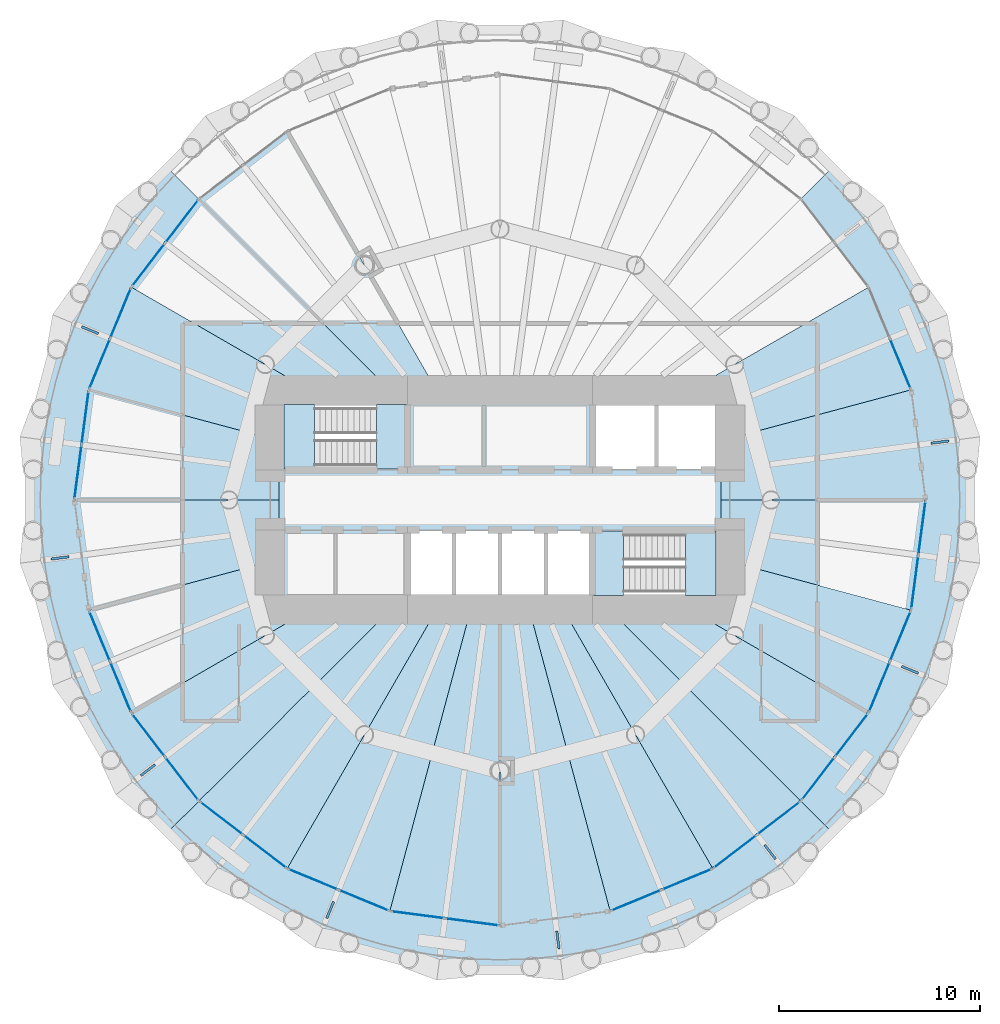
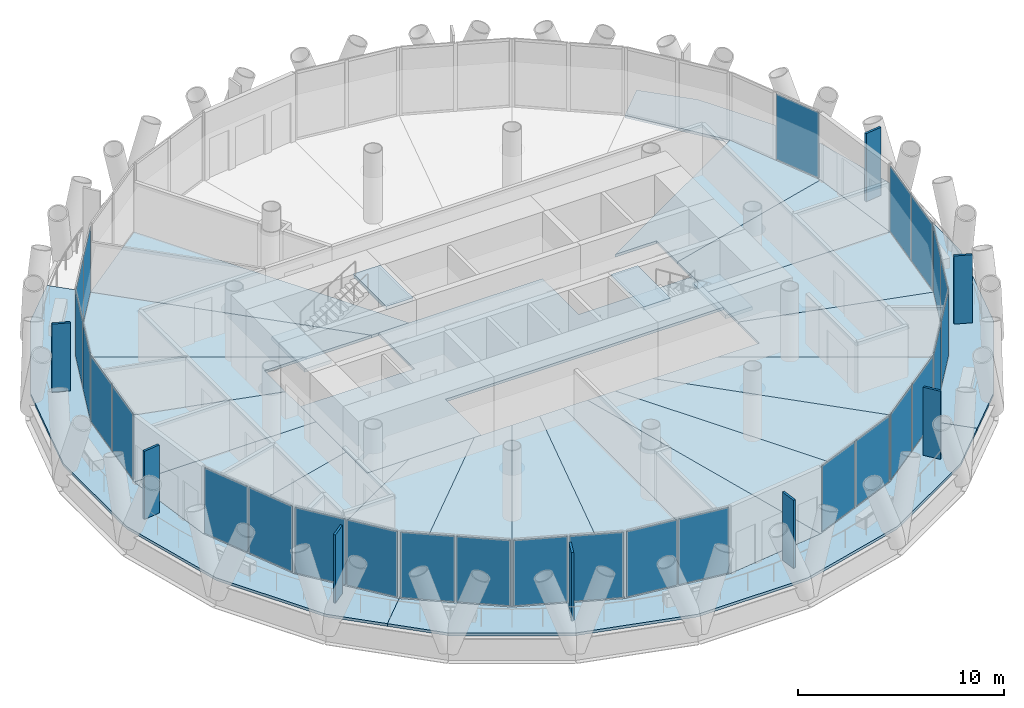
# One storey, part 8 of 14: 35 plates, 26 slabs, 16 elements without a shape of their own.
"""IFC4 building model written with IfcOpenShell, lengths in metres."""

from ifc_helpers import new_model, si_unit, direction, frame, origin, origin_2d, place, context, subcontext, project, spatial, polyline, rectangle, outline, extrude, material, layer, layer_set, type_object, element, aggregate, save


model = new_model("IFC4")

# Units and contexts
model_context = context("Model", 3, precision=1e-05, world=origin(), true_north=direction((0.0, 1.0)))
body_context = subcontext(model_context, "Body", "Model", "MODEL_VIEW")
ifc_project = project(units=[si_unit("LENGTHUNIT", "METRE"), si_unit("AREAUNIT", "SQUARE_METRE"), si_unit("VOLUMEUNIT", "CUBIC_METRE"), si_unit("PLANEANGLEUNIT", "RADIAN"), si_unit("MASSUNIT", "GRAM", prefix="KILO")], contexts=[model_context])

# Site, building, storey
site_placement = place(None, origin())
site = spatial("IfcSite", under=ifc_project, at=site_placement, CompositionType="ELEMENT")
building_placement = place(site_placement, origin())
building = spatial("IfcBuilding", under=site, at=building_placement, Name="Qaws Media Tower", CompositionType="ELEMENT")
storey_placement = place(building_placement, frame((0.0, 0.0, 202.39990234375)))
storey = spatial("IfcBuildingStorey", under=building, at=storey_placement, Name="L46", CompositionType="ELEMENT", Elevation=202.39990234375)

# Slabs
ifc_material_1 = material(Name="Concrete C35/45", Category="concrete")
ifc_layer_1 = layer(ifc_material_1, 0.159912109375)
ifc_layer_set_1 = layer_set([ifc_layer_1], Name="Composite balcony slab 160")
slab_type_1 = type_object("IfcSlabType", Name="Composite balcony slab 160", PredefinedType="FLOOR", material=ifc_layer_set_1)
slab_1_placement = place(storey_placement, frame((0.0, 0.0, -0.159912109375)))
element("IfcSlab", 1, at=slab_1_placement, inside=storey, type_object=slab_type_1, Name="S2 balcony slab L46 R10 to R16, movement joints on R10 and R16", PredefinedType="FLOOR", context=body_context, shape_type="SweptSolid", body=[
    extrude(outline(polyline([(41.27685546875, 35.63330078125), (38.1962890625, 40.96875), (36.601806640625, 46.919677734375), (36.601806640625, 53.080322265625), (38.1962890625, 59.03125), (41.27685546875, 64.36669921875), (43.455078125, 66.544921875), (45.00927734375, 64.99072265625), (41.640380859375, 60.60009765625), (39.5224609375, 55.487060546875), (38.800048828125, 50.0), (39.5224609375, 44.512939453125), (41.640380859375, 39.39990234375), (45.00927734375, 35.00927734375), (43.455078125, 33.455078125), (41.27685546875, 35.63330078125)])), origin(), (0.0, 0.0, 1.0), 0.159912109375),
])
slab_2_placement = place(storey_placement, frame((0.0, 0.0, -0.159912109375)))
element("IfcSlab", 2, at=slab_2_placement, inside=storey, type_object=slab_type_1, Name="S2 balcony slab L46 R16 to R22, movement joints on R16 and R22", PredefinedType="FLOOR", context=body_context, shape_type="SweptSolid", body=[
    extrude(outline(polyline([(74.36669921875, 31.27685546875), (69.03125, 28.1962890625), (63.080322265625, 26.601806640625), (56.919677734375, 26.601806640625), (50.96875, 28.1962890625), (45.63330078125, 31.27685546875), (43.455078125, 33.455078125), (45.00927734375, 35.00927734375), (49.39990234375, 31.640380859375), (54.512939453125, 29.5224609375), (60.0, 28.800048828125), (65.487060546875, 29.5224609375), (70.60009765625, 31.640380859375), (74.99072265625, 35.00927734375), (76.544921875, 33.455078125), (74.36669921875, 31.27685546875)])), origin(), (0.0, 0.0, 1.0), 0.159912109375),
])
slab_3_placement = place(storey_placement, frame((0.0, 0.0, -0.159912109375)))
element("IfcSlab", 3, at=slab_3_placement, inside=storey, type_object=slab_type_1, Name="S2 balcony slab L46 R22 to R04, movement joints on R22 and R04", PredefinedType="FLOOR", context=body_context, shape_type="SweptSolid", body=[
    extrude(outline(polyline([(81.8037109375, 40.96875), (78.72314453125, 35.63330078125), (76.544921875, 33.455078125), (74.99072265625, 35.00927734375), (78.359619140625, 39.39990234375), (80.4775390625, 44.512939453125), (81.199951171875, 50.0), (80.4775390625, 55.487060546875), (78.359619140625, 60.60009765625), (74.99072265625, 64.99072265625), (76.544921875, 66.544921875), (78.72314453125, 64.36669921875), (81.8037109375, 59.03125), (83.398193359375, 53.080322265625), (83.398193359375, 46.919677734375), (81.8037109375, 40.96875)])), origin(), (0.0, 0.0, 1.0), 0.159912109375),
])
ifc_material_2 = material(Name="Concrete C35/45", Category="concrete")
ifc_layer_2 = layer(ifc_material_2, 0.159912109375)
ifc_layer_set_2 = layer_set([ifc_layer_2], Name="Composite floor slab 160")
slab_type_2 = type_object("IfcSlabType", Name="Composite floor slab 160", PredefinedType="FLOOR", material=ifc_layer_set_2)
slab_4_placement = place(storey_placement, frame((0.0, 0.0, -0.159912109375)))
element("IfcSlab", 4, at=slab_4_placement, inside=storey, type_object=slab_type_2, Name="S1 core floor slab L46", PredefinedType="FLOOR", context=body_context, shape_type="SweptSolid", body=[
    extrude(outline(polyline([(71.0, 51.5), (71.0, 48.5), (55.39990234375, 48.5), (55.39990234375, 45.0), (49.0, 45.0), (49.0, 51.5), (55.39990234375, 51.5), (55.39990234375, 55.0), (64.60009765625, 55.0), (64.60009765625, 51.5), (71.0, 51.5)])), origin(), (0.0, 0.0, 1.0), 0.159912109375),
])
slab_5_placement = place(storey_placement, frame((0.0, 0.0, -0.159912109375)))
element("IfcSlab", 5, at=slab_5_placement, inside=storey, type_object=slab_type_2, Name="S1 floor panel L46 on R01+7.5", PredefinedType="FLOOR", context=body_context, shape_type="SweptSolid", body=[
    extrude(outline(polyline([(81.199951171875, 50.0), (71.0, 50.0), (71.0, 52.947509765625), (80.4775390625, 55.487060546875), (81.199951171875, 50.0)])), origin(), (0.0, 0.0, 1.0), 0.159912109375),
])
slab_6_placement = place(storey_placement, frame((0.0, 0.0, -0.159912109375)))
element("IfcSlab", 6, at=slab_6_placement, inside=storey, type_object=slab_type_2, Name="S1 floor panel L46 on R02+7.5", PredefinedType="FLOOR", context=body_context, shape_type="SweptSolid", body=[
    extrude(outline(polyline([(78.359619140625, 60.60009765625), (80.4775390625, 55.487060546875), (71.0, 52.947509765625), (71.0, 55.0), (68.660400390625, 55.0), (78.359619140625, 60.60009765625)])), origin(), (0.0, 0.0, 1.0), 0.159912109375),
])
slab_7_placement = place(storey_placement, frame((0.0, 0.0, -0.159912109375)))
element("IfcSlab", 7, at=slab_7_placement, inside=storey, type_object=slab_type_2, Name="S1 floor panel L46 on R09+7.5", PredefinedType="FLOOR", context=body_context, shape_type="SweptSolid", body=[
    extrude(outline(polyline([(49.39990234375, 68.359619140625), (57.11328125, 55.0), (55.0, 55.0), (45.00927734375, 64.99072265625), (49.39990234375, 68.359619140625)])), origin(), (0.0, 0.0, 1.0), 0.159912109375),
])
slab_8_placement = place(storey_placement, frame((0.0, 0.0, -0.159912109375)))
element("IfcSlab", 8, at=slab_8_placement, inside=storey, type_object=slab_type_2, Name="S1 floor panel L46 on R10+7.5", PredefinedType="FLOOR", context=body_context, shape_type="SweptSolid", body=[
    extrude(outline(polyline([(41.640380859375, 60.60009765625), (45.00927734375, 64.99072265625), (55.0, 55.0), (51.339599609375, 55.0), (41.640380859375, 60.60009765625)])), origin(), (0.0, 0.0, 1.0), 0.159912109375),
])
slab_9_placement = place(storey_placement, frame((0.0, 0.0, -0.159912109375)))
element("IfcSlab", 9, at=slab_9_placement, inside=storey, type_object=slab_type_2, Name="S1 floor panel L46 on R11+7.5", PredefinedType="FLOOR", context=body_context, shape_type="SweptSolid", body=[
    extrude(outline(polyline([(39.5224609375, 55.487060546875), (41.640380859375, 60.60009765625), (51.339599609375, 55.0), (49.0, 55.0), (49.0, 52.947509765625), (39.5224609375, 55.487060546875)])), origin(), (0.0, 0.0, 1.0), 0.159912109375),
])
slab_10_placement = place(storey_placement, frame((0.0, 0.0, -0.159912109375)))
element("IfcSlab", 10, at=slab_10_placement, inside=storey, type_object=slab_type_2, Name="S1 floor panel L46 on R12+7.5", PredefinedType="FLOOR", context=body_context, shape_type="SweptSolid", body=[
    extrude(outline(polyline([(39.5224609375, 55.487060546875), (49.0, 52.947509765625), (49.0, 50.0), (38.800048828125, 50.0), (39.5224609375, 55.487060546875)])), origin(), (0.0, 0.0, 1.0), 0.159912109375),
])
slab_11_placement = place(storey_placement, frame((0.0, 0.0, -0.159912109375)))
element("IfcSlab", 11, at=slab_11_placement, inside=storey, type_object=slab_type_2, Name="S1 floor panel L46 on R13+7.5", PredefinedType="FLOOR", context=body_context, shape_type="SweptSolid", body=[
    extrude(outline(polyline([(38.800048828125, 50.0), (49.0, 50.0), (49.0, 47.052490234375), (39.5224609375, 44.512939453125), (38.800048828125, 50.0)])), origin(), (0.0, 0.0, 1.0), 0.159912109375),
])
slab_12_placement = place(storey_placement, frame((0.0, 0.0, -0.159912109375)))
element("IfcSlab", 12, at=slab_12_placement, inside=storey, type_object=slab_type_2, Name="S1 floor panel L46 on R14+7.5", PredefinedType="FLOOR", context=body_context, shape_type="SweptSolid", body=[
    extrude(outline(polyline([(41.640380859375, 39.39990234375), (39.5224609375, 44.512939453125), (49.0, 47.052490234375), (49.0, 45.0), (51.339599609375, 45.0), (41.640380859375, 39.39990234375)])), origin(), (0.0, 0.0, 1.0), 0.159912109375),
])
slab_13_placement = place(storey_placement, frame((0.0, 0.0, -0.159912109375)))
element("IfcSlab", 13, at=slab_13_placement, inside=storey, type_object=slab_type_2, Name="S1 floor panel L46 on R15+7.5", PredefinedType="FLOOR", context=body_context, shape_type="SweptSolid", body=[
    extrude(outline(polyline([(41.640380859375, 39.39990234375), (51.339599609375, 45.0), (55.0, 45.0), (45.00927734375, 35.00927734375), (41.640380859375, 39.39990234375)])), origin(), (0.0, 0.0, 1.0), 0.159912109375),
])
slab_14_placement = place(storey_placement, frame((0.0, 0.0, -0.159912109375)))
element("IfcSlab", 14, at=slab_14_placement, inside=storey, type_object=slab_type_2, Name="S1 floor panel L46 on R16+7.5", PredefinedType="FLOOR", context=body_context, shape_type="SweptSolid", body=[
    extrude(outline(polyline([(45.00927734375, 35.00927734375), (55.0, 45.0), (57.11328125, 45.0), (49.39990234375, 31.640380859375), (45.00927734375, 35.00927734375)])), origin(), (0.0, 0.0, 1.0), 0.159912109375),
])
slab_15_placement = place(storey_placement, frame((0.0, 0.0, -0.159912109375)))
element("IfcSlab", 15, at=slab_15_placement, inside=storey, type_object=slab_type_2, Name="S1 floor panel L46 on R17+7.5", PredefinedType="FLOOR", context=body_context, shape_type="SweptSolid", body=[
    extrude(outline(polyline([(54.512939453125, 29.5224609375), (49.39990234375, 31.640380859375), (57.11328125, 45.0), (58.660400390625, 45.0), (54.512939453125, 29.5224609375)])), origin(), (0.0, 0.0, 1.0), 0.159912109375),
])
slab_16_placement = place(storey_placement, frame((0.0, 0.0, -0.159912109375)))
element("IfcSlab", 16, at=slab_16_placement, inside=storey, type_object=slab_type_2, Name="S1 floor panel L46 on R18+7.5", PredefinedType="FLOOR", context=body_context, shape_type="SweptSolid", body=[
    extrude(outline(polyline([(54.512939453125, 29.5224609375), (58.660400390625, 45.0), (60.0, 45.0), (60.0, 28.800048828125), (54.512939453125, 29.5224609375)])), origin(), (0.0, 0.0, 1.0), 0.159912109375),
])
slab_17_placement = place(storey_placement, frame((0.0, 0.0, -0.159912109375)))
element("IfcSlab", 17, at=slab_17_placement, inside=storey, type_object=slab_type_2, Name="S1 floor panel L46 on R19+7.5", PredefinedType="FLOOR", context=body_context, shape_type="SweptSolid", body=[
    extrude(outline(polyline([(60.0, 28.800048828125), (60.0, 45.0), (61.339599609375, 45.0), (65.487060546875, 29.5224609375), (60.0, 28.800048828125)])), origin(), (0.0, 0.0, 1.0), 0.159912109375),
])
slab_18_placement = place(storey_placement, frame((0.0, 0.0, -0.159912109375)))
element("IfcSlab", 18, at=slab_18_placement, inside=storey, type_object=slab_type_2, Name="S1 floor panel L46 on R20+7.5", PredefinedType="FLOOR", context=body_context, shape_type="SweptSolid", body=[
    extrude(outline(polyline([(70.60009765625, 31.640380859375), (65.487060546875, 29.5224609375), (61.339599609375, 45.0), (62.88671875, 45.0), (70.60009765625, 31.640380859375)])), origin(), (0.0, 0.0, 1.0), 0.159912109375),
])
slab_19_placement = place(storey_placement, frame((0.0, 0.0, -0.159912109375)))
element("IfcSlab", 19, at=slab_19_placement, inside=storey, type_object=slab_type_2, Name="S1 floor panel L46 on R21+7.5", PredefinedType="FLOOR", context=body_context, shape_type="SweptSolid", body=[
    extrude(outline(polyline([(74.99072265625, 35.00927734375), (70.60009765625, 31.640380859375), (62.88671875, 45.0), (65.0, 45.0), (74.99072265625, 35.00927734375)])), origin(), (0.0, 0.0, 1.0), 0.159912109375),
])
slab_20_placement = place(storey_placement, frame((0.0, 0.0, -0.159912109375)))
element("IfcSlab", 20, at=slab_20_placement, inside=storey, type_object=slab_type_2, Name="S1 floor panel L46 on R22+7.5", PredefinedType="FLOOR", context=body_context, shape_type="SweptSolid", body=[
    extrude(outline(polyline([(74.99072265625, 35.00927734375), (65.0, 45.0), (68.660400390625, 45.0), (78.359619140625, 39.39990234375), (74.99072265625, 35.00927734375)])), origin(), (0.0, 0.0, 1.0), 0.159912109375),
])
slab_21_placement = place(storey_placement, frame((0.0, 0.0, -0.159912109375)))
element("IfcSlab", 21, at=slab_21_placement, inside=storey, type_object=slab_type_2, Name="S1 floor panel L46 on R23+7.5", PredefinedType="FLOOR", context=body_context, shape_type="SweptSolid", body=[
    extrude(outline(polyline([(80.4775390625, 44.512939453125), (78.359619140625, 39.39990234375), (68.660400390625, 45.0), (71.0, 45.0), (71.0, 47.052490234375), (80.4775390625, 44.512939453125)])), origin(), (0.0, 0.0, 1.0), 0.159912109375),
])
slab_22_placement = place(storey_placement, frame((0.0, 0.0, -0.159912109375)))
element("IfcSlab", 22, at=slab_22_placement, inside=storey, type_object=slab_type_2, Name="S1 floor panel L46 on R24+7.5", PredefinedType="FLOOR", context=body_context, shape_type="SweptSolid", body=[
    extrude(outline(polyline([(80.4775390625, 44.512939453125), (71.0, 47.052490234375), (71.0, 50.0), (81.199951171875, 50.0), (80.4775390625, 44.512939453125)])), origin(), (0.0, 0.0, 1.0), 0.159912109375),
])

# Curtain wall, plate
ifc_material_3 = material(Name="Aluminium and clear glass", Category="aluminium")
curtain_wall_type = type_object("IfcCurtainWallType", Name="Unitised curtain wall CW-C", PredefinedType="NOTDEFINED", material=ifc_material_3)
curtain_wall_1_placement = place(storey_placement, origin())
curtain_wall_1 = element("IfcCurtainWall", 23, at=curtain_wall_1_placement, inside=storey, type_object=curtain_wall_type, Name="CWC curtain wall L46-02", PredefinedType="NOTDEFINED")
ifc_material_4 = material(Name="Clear laminated double glazing", Category="glass")
ifc_layer_3 = layer(ifc_material_4, 0.031982421875)
ifc_layer_set_3 = layer_set([ifc_layer_3], Name="Curtain wall glass unit 32")
plate_type_1 = type_object("IfcPlateType", Name="Curtain wall glass unit 32", PredefinedType="CURTAIN_PANEL", material=ifc_layer_set_3)
plate_1_placement = place(storey_placement, frame((79.9404296875, 56.78369140625, 0.080078125), z_axis=(0.0, 0.0, 1.0), x_axis=(-0.382683454553, 0.923879523321, 0.0)))
plate_1 = element("IfcPlate", 24, at=plate_1_placement, type_object=plate_type_1, Name="CWC panel 1.1", PredefinedType="CURTAIN_PANEL", context=body_context, shape_type="SweptSolid", body=[
    extrude(rectangle(XDim=2.647216796875, YDim=0.031982421875, at=origin_2d()), origin(), (0.0, 0.0, 1.0), 3.8798828125),
])
aggregate(curtain_wall_1, [plate_1])

# Curtain wall, plates
curtain_wall_2_placement = place(storey_placement, origin())
curtain_wall_2 = element("IfcCurtainWall", 25, at=curtain_wall_2_placement, inside=storey, type_object=curtain_wall_type, Name="CWC curtain wall L46-10", PredefinedType="NOTDEFINED")
plate_2_placement = place(storey_placement, frame((44.15478515625, 63.877197265625, 0.080078125), z_axis=(0.0, 0.0, 1.0), x_axis=(-0.608761431016, -0.793353338751, 0.0)))
plate_2 = element("IfcPlate", 26, at=plate_2_placement, type_object=plate_type_1, Name="CWC panel 1.1", PredefinedType="CURTAIN_PANEL", context=body_context, shape_type="SweptSolid", body=[
    extrude(rectangle(XDim=2.647216796875, YDim=0.031982421875, at=origin_2d()), origin(), (0.0, 0.0, 1.0), 3.8798828125),
])
plate_3_placement = place(storey_placement, frame((42.49462890625, 61.713623046875, 0.080078125), z_axis=(0.0, 0.0, 1.0), x_axis=(-0.608761431016, -0.793353338751, 0.0)))
plate_3 = element("IfcPlate", 27, at=plate_3_placement, type_object=plate_type_1, Name="CWC panel 2.1", PredefinedType="CURTAIN_PANEL", context=body_context, shape_type="SweptSolid", body=[
    extrude(rectangle(XDim=2.647216796875, YDim=0.031982421875, at=origin_2d()), origin(), (0.0, 0.0, 1.0), 3.8798828125),
])
aggregate(curtain_wall_2, [plate_2, plate_3])

curtain_wall_3_placement = place(storey_placement, origin())
curtain_wall_3 = element("IfcCurtainWall", 28, at=curtain_wall_3_placement, inside=storey, type_object=curtain_wall_type, Name="CWC curtain wall L46-11", PredefinedType="NOTDEFINED")
plate_4_placement = place(storey_placement, frame((41.10302734375, 59.30322265625, 0.080078125), z_axis=(0.0, 0.0, 1.0), x_axis=(-0.382683454553, -0.923879523321, 0.0)))
plate_4 = element("IfcPlate", 29, at=plate_4_placement, type_object=plate_type_1, Name="CWC panel 1.1", PredefinedType="CURTAIN_PANEL", context=body_context, shape_type="SweptSolid", body=[
    extrude(rectangle(XDim=2.647216796875, YDim=0.031982421875, at=origin_2d()), origin(), (0.0, 0.0, 1.0), 3.8798828125),
])
plate_5_placement = place(storey_placement, frame((40.0595703125, 56.78369140625, 0.080078125), z_axis=(0.0, 0.0, 1.0), x_axis=(-0.382683454553, -0.923879523321, 0.0)))
plate_5 = element("IfcPlate", 30, at=plate_5_placement, type_object=plate_type_1, Name="CWC panel 2.1", PredefinedType="CURTAIN_PANEL", context=body_context, shape_type="SweptSolid", body=[
    extrude(rectangle(XDim=2.647216796875, YDim=0.031982421875, at=origin_2d()), origin(), (0.0, 0.0, 1.0), 3.8798828125),
])
aggregate(curtain_wall_3, [plate_4, plate_5])

curtain_wall_4_placement = place(storey_placement, origin())
curtain_wall_4 = element("IfcCurtainWall", 31, at=curtain_wall_4_placement, inside=storey, type_object=curtain_wall_type, Name="CWC curtain wall L46-12", PredefinedType="NOTDEFINED")
plate_6_placement = place(storey_placement, frame((39.339111328125, 54.095458984375, 0.080078125), z_axis=(0.0, 0.0, 1.0), x_axis=(-0.130526100786, -0.991444873411, 0.0)))
plate_6 = element("IfcPlate", 32, at=plate_6_placement, type_object=plate_type_1, Name="CWC panel 1.1", PredefinedType="CURTAIN_PANEL", context=body_context, shape_type="SweptSolid", body=[
    extrude(rectangle(XDim=2.647216796875, YDim=0.031982421875, at=origin_2d()), origin(), (0.0, 0.0, 1.0), 3.8798828125),
])
plate_7_placement = place(storey_placement, frame((38.983154296875, 51.3916015625, 0.080078125), z_axis=(0.0, 0.0, 1.0), x_axis=(-0.130526100786, -0.991444873411, 0.0)))
plate_7 = element("IfcPlate", 33, at=plate_7_placement, type_object=plate_type_1, Name="CWC panel 2.1", PredefinedType="CURTAIN_PANEL", context=body_context, shape_type="SweptSolid", body=[
    extrude(rectangle(XDim=2.647216796875, YDim=0.031982421875, at=origin_2d()), origin(), (0.0, 0.0, 1.0), 3.8798828125),
])
aggregate(curtain_wall_4, [plate_6, plate_7])

curtain_wall_5_placement = place(storey_placement, origin())
curtain_wall_5 = element("IfcCurtainWall", 34, at=curtain_wall_5_placement, inside=storey, type_object=curtain_wall_type, Name="CWC curtain wall L46-14", PredefinedType="NOTDEFINED")
plate_8_placement = place(storey_placement, frame((40.0595703125, 43.21630859375, 0.080078125), z_axis=(0.0, 0.0, 1.0), x_axis=(0.382683454553, -0.923879523321, 0.0)))
plate_8 = element("IfcPlate", 35, at=plate_8_placement, type_object=plate_type_1, Name="CWC panel 1.1", PredefinedType="CURTAIN_PANEL", context=body_context, shape_type="SweptSolid", body=[
    extrude(rectangle(XDim=2.647216796875, YDim=0.031982421875, at=origin_2d()), origin(), (0.0, 0.0, 1.0), 3.8798828125),
])
plate_9_placement = place(storey_placement, frame((41.10302734375, 40.69677734375, 0.080078125), z_axis=(0.0, 0.0, 1.0), x_axis=(0.382683454553, -0.923879523321, 0.0)))
plate_9 = element("IfcPlate", 36, at=plate_9_placement, type_object=plate_type_1, Name="CWC panel 2.1", PredefinedType="CURTAIN_PANEL", context=body_context, shape_type="SweptSolid", body=[
    extrude(rectangle(XDim=2.647216796875, YDim=0.031982421875, at=origin_2d()), origin(), (0.0, 0.0, 1.0), 3.8798828125),
])
aggregate(curtain_wall_5, [plate_8, plate_9])

curtain_wall_6_placement = place(storey_placement, origin())
curtain_wall_6 = element("IfcCurtainWall", 37, at=curtain_wall_6_placement, inside=storey, type_object=curtain_wall_type, Name="CWC curtain wall L46-15", PredefinedType="NOTDEFINED")
plate_10_placement = place(storey_placement, frame((42.49462890625, 38.286376953125, 0.080078125), z_axis=(0.0, 0.0, 1.0), x_axis=(0.608761431016, -0.793353338751, 0.0)))
plate_10 = element("IfcPlate", 38, at=plate_10_placement, type_object=plate_type_1, Name="CWC panel 1.1", PredefinedType="CURTAIN_PANEL", context=body_context, shape_type="SweptSolid", body=[
    extrude(rectangle(XDim=2.647216796875, YDim=0.031982421875, at=origin_2d()), origin(), (0.0, 0.0, 1.0), 3.8798828125),
])
plate_11_placement = place(storey_placement, frame((44.15478515625, 36.122802734375, 0.080078125), z_axis=(0.0, 0.0, 1.0), x_axis=(0.608761431016, -0.793353338751, 0.0)))
plate_11 = element("IfcPlate", 39, at=plate_11_placement, type_object=plate_type_1, Name="CWC panel 2.1", PredefinedType="CURTAIN_PANEL", context=body_context, shape_type="SweptSolid", body=[
    extrude(rectangle(XDim=2.647216796875, YDim=0.031982421875, at=origin_2d()), origin(), (0.0, 0.0, 1.0), 3.8798828125),
])
aggregate(curtain_wall_6, [plate_10, plate_11])

curtain_wall_7_placement = place(storey_placement, origin())
curtain_wall_7 = element("IfcCurtainWall", 40, at=curtain_wall_7_placement, inside=storey, type_object=curtain_wall_type, Name="CWC curtain wall L46-16", PredefinedType="NOTDEFINED")
plate_12_placement = place(storey_placement, frame((46.122802734375, 34.15478515625, 0.080078125), z_axis=(0.0, 0.0, 1.0), x_axis=(0.793353338751, -0.608761431016, 0.0)))
plate_12 = element("IfcPlate", 41, at=plate_12_placement, type_object=plate_type_1, Name="CWC panel 1.1", PredefinedType="CURTAIN_PANEL", context=body_context, shape_type="SweptSolid", body=[
    extrude(rectangle(XDim=2.647216796875, YDim=0.031982421875, at=origin_2d()), origin(), (0.0, 0.0, 1.0), 3.8798828125),
])
plate_13_placement = place(storey_placement, frame((48.286376953125, 32.49462890625, 0.080078125), z_axis=(0.0, 0.0, 1.0), x_axis=(0.793353338751, -0.608761431016, 0.0)))
plate_13 = element("IfcPlate", 42, at=plate_13_placement, type_object=plate_type_1, Name="CWC panel 2.1", PredefinedType="CURTAIN_PANEL", context=body_context, shape_type="SweptSolid", body=[
    extrude(rectangle(XDim=2.647216796875, YDim=0.031982421875, at=origin_2d()), origin(), (0.0, 0.0, 1.0), 3.8798828125),
])
aggregate(curtain_wall_7, [plate_12, plate_13])

curtain_wall_8_placement = place(storey_placement, origin())
curtain_wall_8 = element("IfcCurtainWall", 43, at=curtain_wall_8_placement, inside=storey, type_object=curtain_wall_type, Name="CWC curtain wall L46-17", PredefinedType="NOTDEFINED")
plate_14_placement = place(storey_placement, frame((50.69677734375, 31.10302734375, 0.080078125), z_axis=(0.0, 0.0, 1.0), x_axis=(0.923879523321, -0.382683454553, 0.0)))
plate_14 = element("IfcPlate", 44, at=plate_14_placement, type_object=plate_type_1, Name="CWC panel 1.1", PredefinedType="CURTAIN_PANEL", context=body_context, shape_type="SweptSolid", body=[
    extrude(rectangle(XDim=2.647216796875, YDim=0.031982421875, at=origin_2d()), origin(), (0.0, 0.0, 1.0), 3.8798828125),
])
plate_15_placement = place(storey_placement, frame((53.21630859375, 30.0595703125, 0.080078125), z_axis=(0.0, 0.0, 1.0), x_axis=(0.923879523321, -0.382683454553, 0.0)))
plate_15 = element("IfcPlate", 45, at=plate_15_placement, type_object=plate_type_1, Name="CWC panel 2.1", PredefinedType="CURTAIN_PANEL", context=body_context, shape_type="SweptSolid", body=[
    extrude(rectangle(XDim=2.647216796875, YDim=0.031982421875, at=origin_2d()), origin(), (0.0, 0.0, 1.0), 3.8798828125),
])
aggregate(curtain_wall_8, [plate_14, plate_15])

curtain_wall_9_placement = place(storey_placement, origin())
curtain_wall_9 = element("IfcCurtainWall", 46, at=curtain_wall_9_placement, inside=storey, type_object=curtain_wall_type, Name="CWC curtain wall L46-18", PredefinedType="NOTDEFINED")
plate_16_placement = place(storey_placement, frame((55.904541015625, 29.339111328125, 0.080078125), z_axis=(0.0, 0.0, 1.0), x_axis=(0.991444873411, -0.130526100786, 0.0)))
plate_16 = element("IfcPlate", 47, at=plate_16_placement, type_object=plate_type_1, Name="CWC panel 1.1", PredefinedType="CURTAIN_PANEL", context=body_context, shape_type="SweptSolid", body=[
    extrude(rectangle(XDim=2.647216796875, YDim=0.031982421875, at=origin_2d()), origin(), (0.0, 0.0, 1.0), 3.8798828125),
])
plate_17_placement = place(storey_placement, frame((58.6083984375, 28.983154296875, 0.080078125), z_axis=(0.0, 0.0, 1.0), x_axis=(0.991444873411, -0.130526100786, 0.0)))
plate_17 = element("IfcPlate", 48, at=plate_17_placement, type_object=plate_type_1, Name="CWC panel 2.1", PredefinedType="CURTAIN_PANEL", context=body_context, shape_type="SweptSolid", body=[
    extrude(rectangle(XDim=2.647216796875, YDim=0.031982421875, at=origin_2d()), origin(), (0.0, 0.0, 1.0), 3.8798828125),
])
aggregate(curtain_wall_9, [plate_16, plate_17])

curtain_wall_10_placement = place(storey_placement, origin())
curtain_wall_10 = element("IfcCurtainWall", 49, at=curtain_wall_10_placement, inside=storey, type_object=curtain_wall_type, Name="CWC curtain wall L46-20", PredefinedType="NOTDEFINED")
plate_18_placement = place(storey_placement, frame((66.78369140625, 30.0595703125, 0.080078125), z_axis=(0.0, 0.0, 1.0), x_axis=(0.923879523321, 0.382683454553, 0.0)))
plate_18 = element("IfcPlate", 50, at=plate_18_placement, type_object=plate_type_1, Name="CWC panel 1.1", PredefinedType="CURTAIN_PANEL", context=body_context, shape_type="SweptSolid", body=[
    extrude(rectangle(XDim=2.647216796875, YDim=0.031982421875, at=origin_2d()), origin(), (0.0, 0.0, 1.0), 3.8798828125),
])
plate_19_placement = place(storey_placement, frame((69.30322265625, 31.10302734375, 0.080078125), z_axis=(0.0, 0.0, 1.0), x_axis=(0.923879523321, 0.382683454553, 0.0)))
plate_19 = element("IfcPlate", 51, at=plate_19_placement, type_object=plate_type_1, Name="CWC panel 2.1", PredefinedType="CURTAIN_PANEL", context=body_context, shape_type="SweptSolid", body=[
    extrude(rectangle(XDim=2.647216796875, YDim=0.031982421875, at=origin_2d()), origin(), (0.0, 0.0, 1.0), 3.8798828125),
])
aggregate(curtain_wall_10, [plate_18, plate_19])

curtain_wall_11_placement = place(storey_placement, origin())
curtain_wall_11 = element("IfcCurtainWall", 52, at=curtain_wall_11_placement, inside=storey, type_object=curtain_wall_type, Name="CWC curtain wall L46-21", PredefinedType="NOTDEFINED")
plate_20_placement = place(storey_placement, frame((71.713623046875, 32.49462890625, 0.080078125), z_axis=(0.0, 0.0, 1.0), x_axis=(0.793353338751, 0.608761431016, 0.0)))
plate_20 = element("IfcPlate", 53, at=plate_20_placement, type_object=plate_type_1, Name="CWC panel 1.1", PredefinedType="CURTAIN_PANEL", context=body_context, shape_type="SweptSolid", body=[
    extrude(rectangle(XDim=2.647216796875, YDim=0.031982421875, at=origin_2d()), origin(), (0.0, 0.0, 1.0), 3.8798828125),
])
plate_21_placement = place(storey_placement, frame((73.877197265625, 34.15478515625, 0.080078125), z_axis=(0.0, 0.0, 1.0), x_axis=(0.793353338751, 0.608761431016, 0.0)))
plate_21 = element("IfcPlate", 54, at=plate_21_placement, type_object=plate_type_1, Name="CWC panel 2.1", PredefinedType="CURTAIN_PANEL", context=body_context, shape_type="SweptSolid", body=[
    extrude(rectangle(XDim=2.647216796875, YDim=0.031982421875, at=origin_2d()), origin(), (0.0, 0.0, 1.0), 3.8798828125),
])
aggregate(curtain_wall_11, [plate_20, plate_21])

curtain_wall_12_placement = place(storey_placement, origin())
curtain_wall_12 = element("IfcCurtainWall", 55, at=curtain_wall_12_placement, inside=storey, type_object=curtain_wall_type, Name="CWC curtain wall L46-22", PredefinedType="NOTDEFINED")
plate_22_placement = place(storey_placement, frame((75.84521484375, 36.122802734375, 0.080078125), z_axis=(0.0, 0.0, 1.0), x_axis=(0.608761431016, 0.793353338751, 0.0)))
plate_22 = element("IfcPlate", 56, at=plate_22_placement, type_object=plate_type_1, Name="CWC panel 1.1", PredefinedType="CURTAIN_PANEL", context=body_context, shape_type="SweptSolid", body=[
    extrude(rectangle(XDim=2.647216796875, YDim=0.031982421875, at=origin_2d()), origin(), (0.0, 0.0, 1.0), 3.8798828125),
])
plate_23_placement = place(storey_placement, frame((77.50537109375, 38.286376953125, 0.080078125), z_axis=(0.0, 0.0, 1.0), x_axis=(0.608761431016, 0.793353338751, 0.0)))
plate_23 = element("IfcPlate", 57, at=plate_23_placement, type_object=plate_type_1, Name="CWC panel 2.1", PredefinedType="CURTAIN_PANEL", context=body_context, shape_type="SweptSolid", body=[
    extrude(rectangle(XDim=2.647216796875, YDim=0.031982421875, at=origin_2d()), origin(), (0.0, 0.0, 1.0), 3.8798828125),
])
aggregate(curtain_wall_12, [plate_22, plate_23])

curtain_wall_13_placement = place(storey_placement, origin())
curtain_wall_13 = element("IfcCurtainWall", 58, at=curtain_wall_13_placement, inside=storey, type_object=curtain_wall_type, Name="CWC curtain wall L46-23", PredefinedType="NOTDEFINED")
plate_24_placement = place(storey_placement, frame((78.89697265625, 40.69677734375, 0.080078125), z_axis=(0.0, 0.0, 1.0), x_axis=(0.382683454553, 0.923879523321, 0.0)))
plate_24 = element("IfcPlate", 59, at=plate_24_placement, type_object=plate_type_1, Name="CWC panel 1.1", PredefinedType="CURTAIN_PANEL", context=body_context, shape_type="SweptSolid", body=[
    extrude(rectangle(XDim=2.647216796875, YDim=0.031982421875, at=origin_2d()), origin(), (0.0, 0.0, 1.0), 3.8798828125),
])
plate_25_placement = place(storey_placement, frame((79.9404296875, 43.21630859375, 0.080078125), z_axis=(0.0, 0.0, 1.0), x_axis=(0.382683454553, 0.923879523321, 0.0)))
plate_25 = element("IfcPlate", 60, at=plate_25_placement, type_object=plate_type_1, Name="CWC panel 2.1", PredefinedType="CURTAIN_PANEL", context=body_context, shape_type="SweptSolid", body=[
    extrude(rectangle(XDim=2.647216796875, YDim=0.031982421875, at=origin_2d()), origin(), (0.0, 0.0, 1.0), 3.8798828125),
])
aggregate(curtain_wall_13, [plate_24, plate_25])

curtain_wall_14_placement = place(storey_placement, origin())
curtain_wall_14 = element("IfcCurtainWall", 61, at=curtain_wall_14_placement, inside=storey, type_object=curtain_wall_type, Name="CWC curtain wall L46-24", PredefinedType="NOTDEFINED")
plate_26_placement = place(storey_placement, frame((80.660888671875, 45.904541015625, 0.080078125), z_axis=(0.0, 0.0, 1.0), x_axis=(0.130526100786, 0.991444873411, 0.0)))
plate_26 = element("IfcPlate", 62, at=plate_26_placement, type_object=plate_type_1, Name="CWC panel 1.1", PredefinedType="CURTAIN_PANEL", context=body_context, shape_type="SweptSolid", body=[
    extrude(rectangle(XDim=2.647216796875, YDim=0.031982421875, at=origin_2d()), origin(), (0.0, 0.0, 1.0), 3.8798828125),
])
plate_27_placement = place(storey_placement, frame((81.016845703125, 48.6083984375, 0.080078125), z_axis=(0.0, 0.0, 1.0), x_axis=(0.130526100786, 0.991444873411, 0.0)))
plate_27 = element("IfcPlate", 63, at=plate_27_placement, type_object=plate_type_1, Name="CWC panel 2.1", PredefinedType="CURTAIN_PANEL", context=body_context, shape_type="SweptSolid", body=[
    extrude(rectangle(XDim=2.647216796875, YDim=0.031982421875, at=origin_2d()), origin(), (0.0, 0.0, 1.0), 3.8798828125),
])
aggregate(curtain_wall_14, [plate_26, plate_27])

# Plates
ifc_material_5 = material(Name="Precast concrete screen fin", Category="concrete")
ifc_layer_4 = layer(ifc_material_5, 0.1201171875)
ifc_layer_set_4 = layer_set([ifc_layer_4], Name="Screen fin 120x900")
plate_type_2 = type_object("IfcPlateType", Name="Screen fin 120x900", PredefinedType="USERDEFINED", material=ifc_layer_set_4)
for number, where, z_axis, x_axis, name in (
    (64, (81.910888671875, 52.884521484375, 0.0), (0.0, 0.0, 1.0), (0.991444861374, 0.13052619222, 0.0), "SCR1 screen fin L46-01"),
    (65, (39.582275390625, 58.457275390625, 0.0), (0.0, 0.0, 1.0), (-0.923879532511, 0.382683432365, 0.0), "SCR1 screen fin L46-06"),
    (66, (38.089111328125, 47.115478515625, 0.0), (0.0, 0.0, 1.0), (-0.991444861374, -0.13052619222, 0.0), "SCR1 screen fin L46-07"),
    (67, (42.466796875, 36.54638671875, 0.0), (0.0, 0.0, 1.0), (-0.793353340291, -0.608761429009, 0.0), "SCR1 screen fin L46-08"),
    (68, (51.542724609375, 29.582275390625, 0.0), (0.0, 0.0, 1.0), (-0.382683432365, -0.923879532511, 0.0), "SCR1 screen fin L46-09"),
    (69, (62.884521484375, 28.089111328125, 0.0), (0.0, 0.0, 1.0), (0.13052619222, -0.991444861374, 0.0), "SCR1 screen fin L46-10"),
    (70, (73.45361328125, 32.466796875, 0.0), (0.0, 0.0, 1.0), (0.608761429009, -0.793353340291, 0.0), "SCR1 screen fin L46-11"),
    (71, (80.417724609375, 41.542724609375, 0.0), (0.0, 0.0, 1.0), (0.923879532511, -0.382683432365, 0.0), "SCR1 screen fin L46-12"),
):
    element("IfcPlate", number, at=place(storey_placement, frame(where, z_axis=z_axis, x_axis=x_axis)), inside=storey, type_object=plate_type_2, Name=name, ObjectType="SCREEN", PredefinedType="USERDEFINED", context=body_context, shape_type="SweptSolid", body=[
        extrude(rectangle(XDim=0.89990234375, YDim=0.1201171875, at=origin_2d()), origin(), (0.0, 0.0, 1.0), 4.0400390625),
    ])

# Stair, slabs
ifc_material_6 = material(Name="Concrete C40/50", Category="concrete")
stair_type = type_object("IfcStairType", Name="Exit stair", PredefinedType="HALF_TURN_STAIR", material=ifc_material_6)
stair_1_placement = place(storey_placement, origin())
stair_1 = element("IfcStair", 72, at=stair_1_placement, inside=storey, type_object=stair_type, Name="S1 exit stair L46", PredefinedType="HALF_TURN_STAIR")
ifc_material_7 = material(Name="Concrete C40/50", Category="concrete")
ifc_layer_5 = layer(ifc_material_7, 0.199951171875)
ifc_layer_set_5 = layer_set([ifc_layer_5], Name="Stair landing 200")
slab_type_3 = type_object("IfcSlabType", Name="Stair landing 200", PredefinedType="LANDING", material=ifc_layer_set_5)
slab_23_placement = place(storey_placement, frame((0.0, 0.0, 1.900146484375)))
slab_23 = element("IfcSlab", 73, at=slab_23_placement, type_object=slab_type_3, Name="S1 landing 1", PredefinedType="LANDING", context=body_context, shape_type="SweptSolid", body=[
    extrude(outline(polyline([(49.25, 51.550048828125), (50.760009765625, 51.550048828125), (50.760009765625, 54.75), (49.25, 54.75), (49.25, 51.550048828125)])), origin(), (0.0, 0.0, 1.0), 0.199951171875),
])
slab_24_placement = place(storey_placement, frame((0.0, 0.0, 4.0)))
slab_24 = element("IfcSlab", 74, at=slab_24_placement, type_object=slab_type_3, Name="S1 landing 2", PredefinedType="LANDING", context=body_context, shape_type="SweptSolid", body=[
    extrude(outline(polyline([(53.840087890625, 51.550048828125), (55.35009765625, 51.550048828125), (55.35009765625, 54.75), (53.840087890625, 54.75), (53.840087890625, 51.550048828125)])), origin(), (0.0, 0.0, 1.0), 0.2001953125),
])
aggregate(stair_1, [slab_23, slab_24])

stair_2_placement = place(storey_placement, origin())
stair_2 = element("IfcStair", 75, at=stair_2_placement, inside=storey, type_object=stair_type, Name="S2 exit stair L46", PredefinedType="HALF_TURN_STAIR")
slab_25_placement = place(storey_placement, frame((0.0, 0.0, 1.900146484375)))
slab_25 = element("IfcSlab", 76, at=slab_25_placement, type_object=slab_type_3, Name="S2 landing 1", PredefinedType="LANDING", context=body_context, shape_type="SweptSolid", body=[
    extrude(outline(polyline([(69.239990234375, 45.25), (70.75, 45.25), (70.75, 48.449951171875), (69.239990234375, 48.449951171875), (69.239990234375, 45.25)])), origin(), (0.0, 0.0, 1.0), 0.199951171875),
])
slab_26_placement = place(storey_placement, frame((0.0, 0.0, 4.0)))
slab_26 = element("IfcSlab", 77, at=slab_26_placement, type_object=slab_type_3, Name="S2 landing 2", PredefinedType="LANDING", context=body_context, shape_type="SweptSolid", body=[
    extrude(outline(polyline([(64.64990234375, 45.25), (66.159912109375, 45.25), (66.159912109375, 48.449951171875), (64.64990234375, 48.449951171875), (64.64990234375, 45.25)])), origin(), (0.0, 0.0, 1.0), 0.2001953125),
])
aggregate(stair_2, [slab_25, slab_26])

save(model, "model.ifc")
